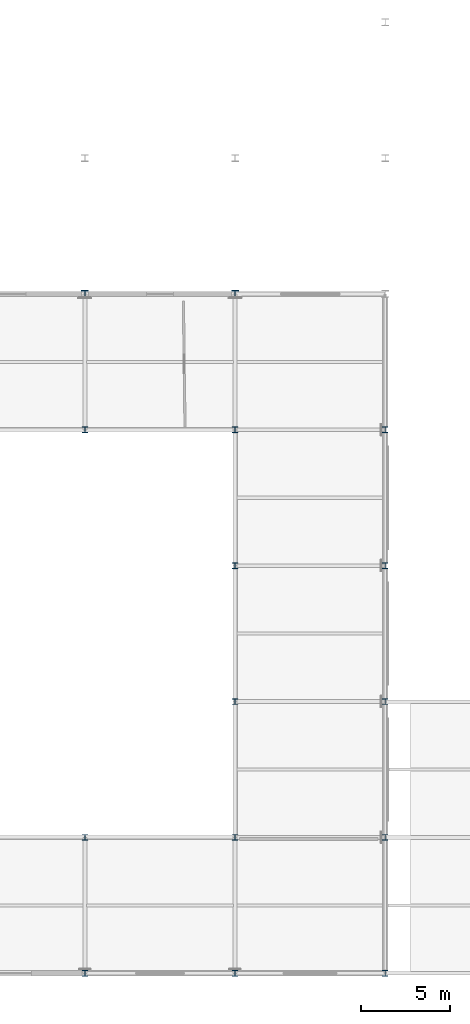
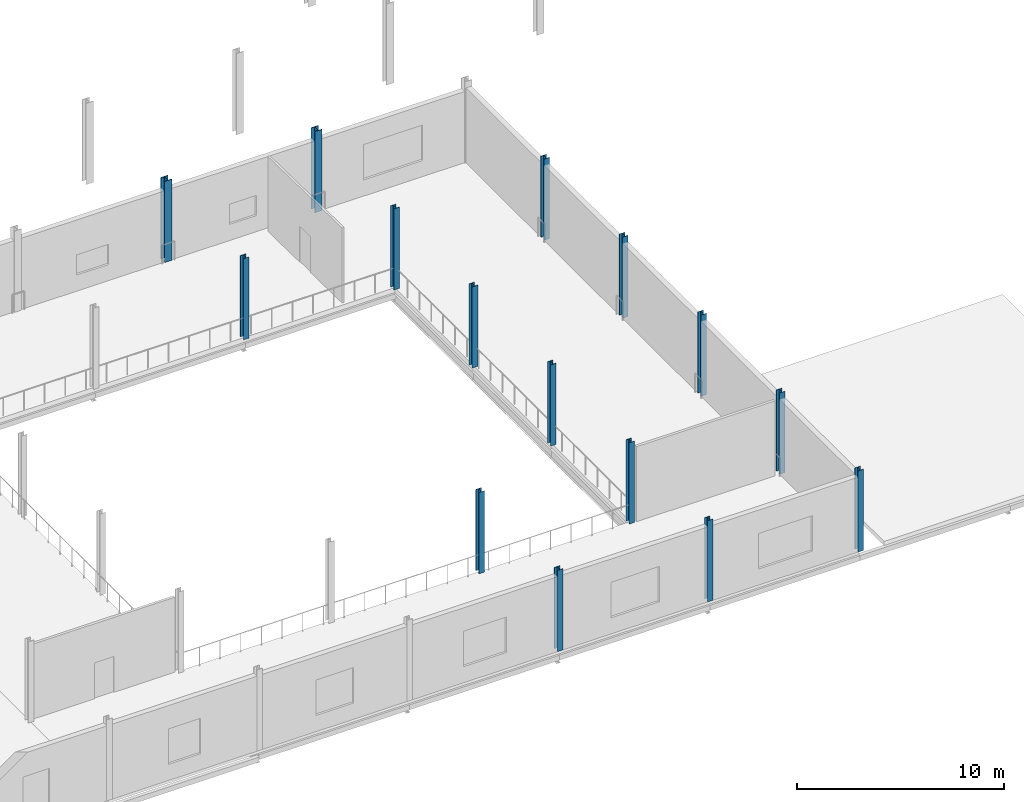
# One storey, part 10 of 51: 15 columns.
"""IFC4 building model written with IfcOpenShell, lengths in metres."""

from ifc_helpers import new_model, si_unit, direction, frame, origin, origin_2d, place, context, subcontext, project, spatial, i_section, extrude, material, material_profile, profile_set, type_object, element, save


model = new_model("IFC4")

# Units and contexts
model_context = context("Model", 3, precision=1e-05, world=origin(), true_north=direction((0.0, 1.0)))
body_context = subcontext(model_context, "Body", "Model", "MODEL_VIEW")
ifc_project = project(units=[si_unit("LENGTHUNIT", "METRE"), si_unit("AREAUNIT", "SQUARE_METRE"), si_unit("VOLUMEUNIT", "CUBIC_METRE"), si_unit("PLANEANGLEUNIT", "RADIAN"), si_unit("MASSUNIT", "GRAM", prefix="KILO")], contexts=[model_context])

# Site, building, storey
site_placement = place(None, origin())
site = spatial("IfcSite", under=ifc_project, at=site_placement, CompositionType="ELEMENT")
building_placement = place(site_placement, origin())
building = spatial("IfcBuilding", under=site, at=building_placement, Name="Zuvorla Pavilion Media Centre", CompositionType="ELEMENT")
storey_placement = place(building_placement, frame((0.0, 0.0, 4.800048828125)))
storey = spatial("IfcBuildingStorey", under=building, at=storey_placement, Name="L01", CompositionType="ELEMENT", Elevation=4.800048828125)

# Columns
ifc_material = material(Name="Steel S355", Category="steel")
ifc_material_profile_1 = material_profile(ifc_material, i_section(OverallWidth=0.30908203125, OverallDepth=0.320556640625, WebThickness=0.013916015625, FlangeThickness=0.021728515625, FilletRadius=0.01513671875, at=origin_2d()), Name="UC 305x305x137")
ifc_profile_set_1 = profile_set([ifc_material_profile_1], Name="Steel S355")
column_type_1 = type_object("IfcColumnType", Name="COL-UC305", PredefinedType="COLUMN", material=ifc_profile_set_1)
for number, where, z_axis, x_axis, name in (
    (1, (142.39990234375, 6.0, 0.0), (0.0, 0.0, 1.0), (1.0, 0.0, 0.0), "L01 column C10 82"),
    (2, (150.800048828125, 6.0, 0.0), (0.0, 0.0, 1.0), (1.0, 0.0, 0.0), "L01 column C10 87"),
    (3, (159.199951171875, 6.0, 0.0), (0.0, 0.0, 1.0), (1.0, 0.0, 0.0), "L01 column C10 92"),
    (4, (142.39990234375, 13.60009765625, 0.0), (0.0, 0.0, 1.0), (1.0, 0.0, 0.0), "L01 column C10 180"),
    (5, (150.800048828125, 13.60009765625, 0.0), (0.0, 0.0, 1.0), (1.0, 0.0, 0.0), "L01 column C10 185"),
    (6, (159.199951171875, 13.60009765625, 0.0), (0.0, 0.0, 1.0), (1.0, 0.0, 0.0), "L01 column C10 190"),
    (7, (150.800048828125, 21.199951171875, 0.0), (0.0, 0.0, 1.0), (1.0, 0.0, 0.0), "L01 column C10 276"),
    (8, (159.199951171875, 21.199951171875, 0.0), (0.0, 0.0, 1.0), (1.0, 0.0, 0.0), "L01 column C10 281"),
    (9, (150.800048828125, 28.800048828125, 0.0), (0.0, 0.0, 1.0), (1.0, 0.0, 0.0), "L01 column C10 371"),
    (10, (159.199951171875, 28.800048828125, 0.0), (0.0, 0.0, 1.0), (1.0, 0.0, 0.0), "L01 column C10 376"),
    (11, (142.39990234375, 36.39990234375, 0.0), (0.0, 0.0, 1.0), (1.0, 0.0, 0.0), "L01 column C10 466"),
    (12, (150.800048828125, 36.39990234375, 0.0), (0.0, 0.0, 1.0), (1.0, 0.0, 0.0), "L01 column C10 471"),
    (13, (159.199951171875, 36.39990234375, 0.0), (0.0, 0.0, 1.0), (1.0, 0.0, 0.0), "L01 column C10 476"),
):
    element("IfcColumn", number, at=place(storey_placement, frame(where, z_axis=z_axis, x_axis=x_axis)), inside=storey, type_object=column_type_1, Name=name, PredefinedType="COLUMN", context=body_context, shape_type="SweptSolid", body=[
        extrude(i_section(OverallWidth=0.30908203125, OverallDepth=0.320556640625, WebThickness=0.013916015625, FlangeThickness=0.021728515625, FilletRadius=0.01513671875, at=origin_2d()), origin(), (0.0, 0.0, 1.0), 4.800048828125),
    ])
ifc_material_profile_2 = material_profile(ifc_material, i_section(OverallWidth=0.39892578125, OverallDepth=0.3935546875, WebThickness=0.022705078125, FlangeThickness=0.03662109375, FilletRadius=0.01513671875, at=origin_2d()), Name="UC 356x406x287")
ifc_profile_set_2 = profile_set([ifc_material_profile_2], Name="Steel S355")
column_type_2 = type_object("IfcColumnType", Name="COL-UC356H", PredefinedType="COLUMN", material=ifc_profile_set_2)
for number, where, z_axis, x_axis, name in (
    (14, (142.39990234375, 44.0, 0.0), (0.0, 0.0, 1.0), (1.0, 0.0, 0.0), "L01 column C08 560"),
    (15, (150.800048828125, 44.0, 0.0), (0.0, 0.0, 1.0), (1.0, 0.0, 0.0), "L01 column C08 565"),
):
    element("IfcColumn", number, at=place(storey_placement, frame(where, z_axis=z_axis, x_axis=x_axis)), inside=storey, type_object=column_type_2, Name=name, PredefinedType="COLUMN", context=body_context, shape_type="SweptSolid", body=[
        extrude(i_section(OverallWidth=0.39892578125, OverallDepth=0.3935546875, WebThickness=0.022705078125, FlangeThickness=0.03662109375, FilletRadius=0.01513671875, at=origin_2d()), origin(), (0.0, 0.0, 1.0), 4.800048828125),
    ])

save(model, "model.ifc")
